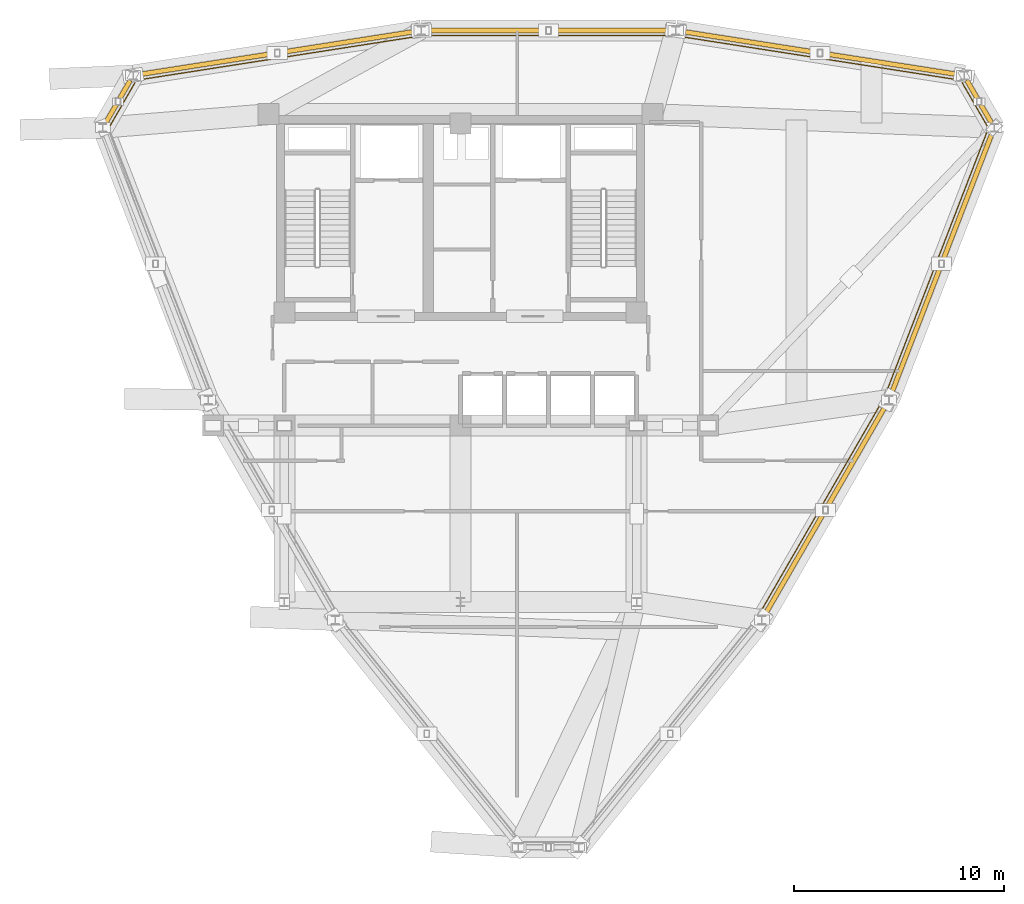
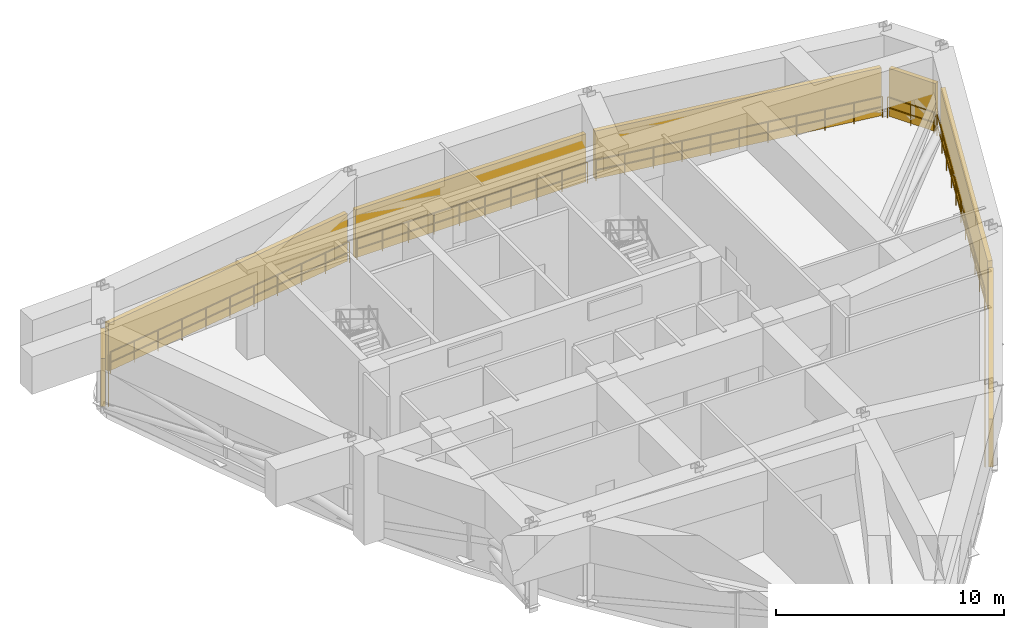
# One storey, part 11 of 11: 7 railings, 7 shading devices.
"""IFC4 building model written with IfcOpenShell, lengths in metres."""

from ifc_helpers import new_model, si_unit, derived_unit, direction, frame, origin, origin_2d, place, context, subcontext, project, spatial, polyline, circle, outline, extrude, material, layer, layer_set, type_object, element, save


model = new_model("IFC4")

# Units and contexts
model_context = context("Model", 3, precision=1e-05, world=origin(), true_north=direction((0.0, 1.0)))
body_context = subcontext(model_context, "Body", "Model", "MODEL_VIEW")
ifc_project = project(units=[si_unit("LENGTHUNIT", "METRE"), si_unit("AREAUNIT", "SQUARE_METRE"), si_unit("VOLUMEUNIT", "CUBIC_METRE"), si_unit("PLANEANGLEUNIT", "RADIAN"), si_unit("MASSUNIT", "GRAM", prefix="KILO"), derived_unit("THERMALTRANSMITTANCEUNIT", [(si_unit("POWERUNIT", "WATT"), 1), (si_unit("LENGTHUNIT", "METRE"), -2), (si_unit("THERMODYNAMICTEMPERATUREUNIT", "KELVIN"), -1)])], contexts=[model_context])

# Site, building, storey
site_placement = place(None, origin())
site = spatial("IfcSite", under=ifc_project, at=site_placement, CompositionType="ELEMENT")
building_placement = place(site_placement, origin())
building = spatial("IfcBuilding", under=site, at=building_placement, Name="Korsvarv Bourse and Concert Hall", CompositionType="ELEMENT")
storey_placement = place(building_placement, frame((0.0, 0.0, 238.199951171875)))
storey = spatial("IfcBuildingStorey", under=building, at=storey_placement, Name="L62", CompositionType="ELEMENT", Elevation=238.199951171875)

# Railings
ifc_material_1 = material(Name="Laminated safety glass and stainless Steel S355 balustrade", Category="steel")
railing_type = type_object("IfcRailingType", Name="RL-BAL-EXT", PredefinedType="BALUSTRADE", material=ifc_material_1)
railing_1_placement = place(storey_placement, frame((61.09912109375, 46.709228515625, 0.0)))
element("IfcRailing", 1, at=railing_1_placement, inside=storey, type_object=railing_type, Name="L62 Refuge Band Perimeter Safety Balustrade 1", PredefinedType="BALUSTRADE", context=body_context, shape_type="SweptSolid", body=[
    extrude(circle(Radius=0.02392578125, at=origin_2d()), frame((0.0, 0.0, 1.1259765625), z_axis=(-0.499971235986, 0.866042010059, 0.0), x_axis=(-0.866042010059, -0.499971235986, 0.0)), (0.0, 0.0, 1.0), 2.350341796875),
    extrude(circle(Radius=0.02392578125, at=origin_2d()), frame((0.0, 0.0, 0.574951171875), z_axis=(-0.499971235986, 0.866042010059, 0.0), x_axis=(-0.866042010059, -0.499971235986, 0.0)), (0.0, 0.0, 1.0), 2.350341796875),
    extrude(circle(Radius=0.02099609375, at=origin_2d()), origin(), (0.0, 0.0, 1.0), 1.101806640625),
    extrude(circle(Radius=0.02099609375, at=origin_2d()), frame((-0.58740234375, 1.017578125, 0.0)), (0.0, 0.0, 1.0), 1.101806640625),
    extrude(circle(Radius=0.02099609375, at=origin_2d()), frame((-1.175048828125, 2.035400390625, 0.0)), (0.0, 0.0, 1.0), 1.101806640625),
])
railing_2_placement = place(storey_placement, frame((59.74755859375, 48.885498046875, 0.0)))
element("IfcRailing", 2, at=railing_2_placement, inside=storey, type_object=railing_type, Name="L62 Refuge Band Perimeter Safety Balustrade 2", PredefinedType="BALUSTRADE", context=body_context, shape_type="SweptSolid", body=[
    extrude(circle(Radius=0.02392578125, at=origin_2d()), frame((0.0, 0.0, 1.1259765625), z_axis=(-0.988064015912, 0.154043826423, 0.0), x_axis=(-0.154043826423, -0.988064015912, 0.0)), (0.0, 0.0, 1.0), 13.4619140625),
    extrude(circle(Radius=0.02392578125, at=origin_2d()), frame((0.0, 0.0, 0.574951171875), z_axis=(-0.988064015912, 0.154043826423, 0.0), x_axis=(-0.154043826423, -0.988064015912, 0.0)), (0.0, 0.0, 1.0), 13.4619140625),
    extrude(circle(Radius=0.02099609375, at=origin_2d()), origin(), (0.0, 0.0, 1.0), 1.101806640625),
    extrude(circle(Radius=0.02099609375, at=origin_2d()), frame((-1.330078125, 0.207275390625, 0.0)), (0.0, 0.0, 1.0), 1.101806640625),
    extrude(circle(Radius=0.02099609375, at=origin_2d()), frame((-2.66015625, 0.414794921875, 0.0)), (0.0, 0.0, 1.0), 1.101806640625),
    extrude(circle(Radius=0.02099609375, at=origin_2d()), frame((-3.990478515625, 0.6220703125, 0.0)), (0.0, 0.0, 1.0), 1.101806640625),
    extrude(circle(Radius=0.02099609375, at=origin_2d()), frame((-5.320556640625, 0.82958984375, 0.0)), (0.0, 0.0, 1.0), 1.101806640625),
    extrude(circle(Radius=0.02099609375, at=origin_2d()), frame((-6.650634765625, 1.036865234375, 0.0)), (0.0, 0.0, 1.0), 1.101806640625),
    extrude(circle(Radius=0.02099609375, at=origin_2d()), frame((-7.980712890625, 1.244140625, 0.0)), (0.0, 0.0, 1.0), 1.101806640625),
    extrude(circle(Radius=0.02099609375, at=origin_2d()), frame((-9.310791015625, 1.45166015625, 0.0)), (0.0, 0.0, 1.0), 1.101806640625),
    extrude(circle(Radius=0.02099609375, at=origin_2d()), frame((-10.64111328125, 1.658935546875, 0.0)), (0.0, 0.0, 1.0), 1.101806640625),
    extrude(circle(Radius=0.02099609375, at=origin_2d()), frame((-11.97119140625, 1.866455078125, 0.0)), (0.0, 0.0, 1.0), 1.101806640625),
    extrude(circle(Radius=0.02099609375, at=origin_2d()), frame((-13.30126953125, 2.07373046875, 0.0)), (0.0, 0.0, 1.0), 1.101806640625),
])
railing_3_placement = place(storey_placement, frame((46.038818359375, 50.9912109375, 0.0)))
element("IfcRailing", 3, at=railing_3_placement, inside=storey, type_object=railing_type, Name="L62 Refuge Band Perimeter Safety Balustrade 3", PredefinedType="BALUSTRADE", context=body_context, shape_type="SweptSolid", body=[
    extrude(circle(Radius=0.02392578125, at=origin_2d()), frame((0.0, 0.0, 1.1259765625), z_axis=(-1.0, 0.0, 0.0), x_axis=(0.0, -1.0, 0.0)), (0.0, 0.0, 1.0), 11.677734375),
    extrude(circle(Radius=0.02392578125, at=origin_2d()), frame((0.0, 0.0, 0.574951171875), z_axis=(-1.0, 0.0, 0.0), x_axis=(0.0, -1.0, 0.0)), (0.0, 0.0, 1.0), 11.677734375),
    extrude(circle(Radius=0.02099609375, at=origin_2d()), origin(), (0.0, 0.0, 1.0), 1.101806640625),
    extrude(circle(Radius=0.02099609375, at=origin_2d()), frame((-1.297607421875, 0.0, 0.0)), (0.0, 0.0, 1.0), 1.101806640625),
    extrude(circle(Radius=0.02099609375, at=origin_2d()), frame((-2.594970703125, 0.0, 0.0)), (0.0, 0.0, 1.0), 1.101806640625),
    extrude(circle(Radius=0.02099609375, at=origin_2d()), frame((-3.892578125, 0.0, 0.0)), (0.0, 0.0, 1.0), 1.101806640625),
    extrude(circle(Radius=0.02099609375, at=origin_2d()), frame((-5.190185546875, 0.0, 0.0)), (0.0, 0.0, 1.0), 1.101806640625),
    extrude(circle(Radius=0.02099609375, at=origin_2d()), frame((-6.487548828125, 0.0, 0.0)), (0.0, 0.0, 1.0), 1.101806640625),
    extrude(circle(Radius=0.02099609375, at=origin_2d()), frame((-7.78515625, 0.0, 0.0)), (0.0, 0.0, 1.0), 1.101806640625),
    extrude(circle(Radius=0.02099609375, at=origin_2d()), frame((-9.082763671875, 0.0, 0.0)), (0.0, 0.0, 1.0), 1.101806640625),
    extrude(circle(Radius=0.02099609375, at=origin_2d()), frame((-10.380126953125, 0.0, 0.0)), (0.0, 0.0, 1.0), 1.101806640625),
    extrude(circle(Radius=0.02099609375, at=origin_2d()), frame((-11.677734375, 0.0, 0.0)), (0.0, 0.0, 1.0), 1.101806640625),
])
railing_4_placement = place(storey_placement, frame((33.95361328125, 50.959228515625, 0.0)))
element("IfcRailing", 4, at=railing_4_placement, inside=storey, type_object=railing_type, Name="L62 Refuge Band Perimeter Safety Balustrade 4", PredefinedType="BALUSTRADE", context=body_context, shape_type="SweptSolid", body=[
    extrude(circle(Radius=0.02392578125, at=origin_2d()), frame((0.0, 0.0, 1.1259765625), z_axis=(-0.988063585552, -0.154046586804, 0.0), x_axis=(0.154046586804, -0.988063585552, 0.0)), (0.0, 0.0, 1.0), 13.461669921875),
    extrude(circle(Radius=0.02392578125, at=origin_2d()), frame((0.0, 0.0, 0.574951171875), z_axis=(-0.988063585552, -0.154046586804, 0.0), x_axis=(0.154046586804, -0.988063585552, 0.0)), (0.0, 0.0, 1.0), 13.461669921875),
    extrude(circle(Radius=0.02099609375, at=origin_2d()), origin(), (0.0, 0.0, 1.0), 1.101806640625),
    extrude(circle(Radius=0.02099609375, at=origin_2d()), frame((-1.330078125, -0.207275390625, 0.0)), (0.0, 0.0, 1.0), 1.101806640625),
    extrude(circle(Radius=0.02099609375, at=origin_2d()), frame((-2.66015625, -0.414794921875, 0.0)), (0.0, 0.0, 1.0), 1.101806640625),
    extrude(circle(Radius=0.02099609375, at=origin_2d()), frame((-3.990234375, -0.6220703125, 0.0)), (0.0, 0.0, 1.0), 1.101806640625),
    extrude(circle(Radius=0.02099609375, at=origin_2d()), frame((-5.3203125, -0.82958984375, 0.0)), (0.0, 0.0, 1.0), 1.101806640625),
    extrude(circle(Radius=0.02099609375, at=origin_2d()), frame((-6.650390625, -1.036865234375, 0.0)), (0.0, 0.0, 1.0), 1.101806640625),
    extrude(circle(Radius=0.02099609375, at=origin_2d()), frame((-7.980712890625, -1.244140625, 0.0)), (0.0, 0.0, 1.0), 1.101806640625),
    extrude(circle(Radius=0.02099609375, at=origin_2d()), frame((-9.310791015625, -1.45166015625, 0.0)), (0.0, 0.0, 1.0), 1.101806640625),
    extrude(circle(Radius=0.02099609375, at=origin_2d()), frame((-10.640869140625, -1.658935546875, 0.0)), (0.0, 0.0, 1.0), 1.101806640625),
    extrude(circle(Radius=0.02099609375, at=origin_2d()), frame((-11.970947265625, -1.866455078125, 0.0)), (0.0, 0.0, 1.0), 1.101806640625),
    extrude(circle(Radius=0.02099609375, at=origin_2d()), frame((-13.301025390625, -2.07373046875, 0.0)), (0.0, 0.0, 1.0), 1.101806640625),
])
railing_5_placement = place(storey_placement, frame((20.475830078125, 48.74462890625, 0.0)))
element("IfcRailing", 5, at=railing_5_placement, inside=storey, type_object=railing_type, Name="L62 Refuge Band Perimeter Safety Balustrade 5", PredefinedType="BALUSTRADE", context=body_context, shape_type="SweptSolid", body=[
    extrude(circle(Radius=0.02392578125, at=origin_2d()), frame((0.0, 0.0, 1.1259765625), z_axis=(-0.499971235986, -0.866042010059, 0.0), x_axis=(0.866042010059, -0.499971235986, 0.0)), (0.0, 0.0, 1.0), 2.350341796875),
    extrude(circle(Radius=0.02392578125, at=origin_2d()), frame((0.0, 0.0, 0.574951171875), z_axis=(-0.499971235986, -0.866042010059, 0.0), x_axis=(0.866042010059, -0.499971235986, 0.0)), (0.0, 0.0, 1.0), 2.350341796875),
    extrude(circle(Radius=0.02099609375, at=origin_2d()), origin(), (0.0, 0.0, 1.0), 1.101806640625),
    extrude(circle(Radius=0.02099609375, at=origin_2d()), frame((-0.58740234375, -1.017578125, 0.0)), (0.0, 0.0, 1.0), 1.101806640625),
    extrude(circle(Radius=0.02099609375, at=origin_2d()), frame((-1.175048828125, -2.035400390625, 0.0)), (0.0, 0.0, 1.0), 1.101806640625),
])
railing_6_placement = place(storey_placement, frame((50.283447265625, 23.48291015625, 0.0)))
element("IfcRailing", 6, at=railing_6_placement, inside=storey, type_object=railing_type, Name="L62 Refuge Band Perimeter Safety Balustrade 11", PredefinedType="BALUSTRADE", context=body_context, shape_type="SweptSolid", body=[
    extrude(circle(Radius=0.02392578125, at=origin_2d()), frame((0.0, 0.0, 1.1259765625), z_axis=(0.500008557283, 0.866020463178, 0.0), x_axis=(-0.866020463178, 0.500008557283, 0.0)), (0.0, 0.0, 1.0), 11.596923828125),
    extrude(circle(Radius=0.02392578125, at=origin_2d()), frame((0.0, 0.0, 0.574951171875), z_axis=(0.500008557283, 0.866020463178, 0.0), x_axis=(-0.866020463178, 0.500008557283, 0.0)), (0.0, 0.0, 1.0), 11.596923828125),
    extrude(circle(Radius=0.02099609375, at=origin_2d()), origin(), (0.0, 0.0, 1.0), 1.101806640625),
    extrude(circle(Radius=0.02099609375, at=origin_2d()), frame((0.644287109375, 1.115966796875, 0.0)), (0.0, 0.0, 1.0), 1.101806640625),
    extrude(circle(Radius=0.02099609375, at=origin_2d()), frame((1.28857421875, 2.23193359375, 0.0)), (0.0, 0.0, 1.0), 1.101806640625),
    extrude(circle(Radius=0.02099609375, at=origin_2d()), frame((1.932861328125, 3.34765625, 0.0)), (0.0, 0.0, 1.0), 1.101806640625),
    extrude(circle(Radius=0.02099609375, at=origin_2d()), frame((2.5771484375, 4.463623046875, 0.0)), (0.0, 0.0, 1.0), 1.101806640625),
    extrude(circle(Radius=0.02099609375, at=origin_2d()), frame((3.221435546875, 5.57958984375, 0.0)), (0.0, 0.0, 1.0), 1.101806640625),
    extrude(circle(Radius=0.02099609375, at=origin_2d()), frame((3.86572265625, 6.695556640625, 0.0)), (0.0, 0.0, 1.0), 1.101806640625),
    extrude(circle(Radius=0.02099609375, at=origin_2d()), frame((4.510009765625, 7.811279296875, 0.0)), (0.0, 0.0, 1.0), 1.101806640625),
    extrude(circle(Radius=0.02099609375, at=origin_2d()), frame((5.154296875, 8.92724609375, 0.0)), (0.0, 0.0, 1.0), 1.101806640625),
    extrude(circle(Radius=0.02099609375, at=origin_2d()), frame((5.798583984375, 10.043212890625, 0.0)), (0.0, 0.0, 1.0), 1.101806640625),
])
railing_7_placement = place(storey_placement, frame((56.284912109375, 33.947265625, 0.0)))
element("IfcRailing", 7, at=railing_7_placement, inside=storey, type_object=railing_type, Name="L62 Refuge Band Perimeter Safety Balustrade 12", PredefinedType="BALUSTRADE", context=body_context, shape_type="SweptSolid", body=[
    extrude(circle(Radius=0.02392578125, at=origin_2d()), frame((0.0, 0.0, 1.1259765625), z_axis=(0.360613972961, 0.932715156147, 0.0), x_axis=(-0.932715156147, 0.360613972961, 0.0)), (0.0, 0.0, 1.0), 13.424560546875),
    extrude(circle(Radius=0.02392578125, at=origin_2d()), frame((0.0, 0.0, 0.574951171875), z_axis=(0.360613972961, 0.932715156147, 0.0), x_axis=(-0.932715156147, 0.360613972961, 0.0)), (0.0, 0.0, 1.0), 13.424560546875),
    extrude(circle(Radius=0.02099609375, at=origin_2d()), origin(), (0.0, 0.0, 1.0), 1.101806640625),
    extrude(circle(Radius=0.02099609375, at=origin_2d()), frame((0.484130859375, 1.252197265625, 0.0)), (0.0, 0.0, 1.0), 1.101806640625),
    extrude(circle(Radius=0.02099609375, at=origin_2d()), frame((0.96826171875, 2.504150390625, 0.0)), (0.0, 0.0, 1.0), 1.101806640625),
    extrude(circle(Radius=0.02099609375, at=origin_2d()), frame((1.452392578125, 3.75634765625, 0.0)), (0.0, 0.0, 1.0), 1.101806640625),
    extrude(circle(Radius=0.02099609375, at=origin_2d()), frame((1.9365234375, 5.008544921875, 0.0)), (0.0, 0.0, 1.0), 1.101806640625),
    extrude(circle(Radius=0.02099609375, at=origin_2d()), frame((2.42041015625, 6.2607421875, 0.0)), (0.0, 0.0, 1.0), 1.101806640625),
    extrude(circle(Radius=0.02099609375, at=origin_2d()), frame((2.904541015625, 7.5126953125, 0.0)), (0.0, 0.0, 1.0), 1.101806640625),
    extrude(circle(Radius=0.02099609375, at=origin_2d()), frame((3.388671875, 8.764892578125, 0.0)), (0.0, 0.0, 1.0), 1.101806640625),
    extrude(circle(Radius=0.02099609375, at=origin_2d()), frame((3.872802734375, 10.01708984375, 0.0)), (0.0, 0.0, 1.0), 1.101806640625),
    extrude(circle(Radius=0.02099609375, at=origin_2d()), frame((4.35693359375, 11.26904296875, 0.0)), (0.0, 0.0, 1.0), 1.101806640625),
    extrude(circle(Radius=0.02099609375, at=origin_2d()), frame((4.841064453125, 12.521240234375, 0.0)), (0.0, 0.0, 1.0), 1.101806640625),
])

# Shading devices
ifc_material_2 = material(Name="Marine-grade powder-coated aluminium acoustic storm louvre", Category="aluminium")
ifc_layer = layer(ifc_material_2, 0.219970703125)
ifc_layer_set = layer_set([ifc_layer], Name="Marine-grade powder-coated aluminium acoustic storm louvre")
shading_device_type = type_object("IfcShadingDeviceType", Name="SHD-LVR-1", PredefinedType="JALOUSIE", material=ifc_layer_set)
shading_device_1_placement = place(storey_placement, origin())
element("IfcShadingDevice", 8, at=shading_device_1_placement, inside=storey, type_object=shading_device_type, Name="L62 Refuge Acoustic Storm Louvre Bay 1", PredefinedType="JALOUSIE", context=body_context, shape_type="SweptSolid", body=[
    extrude(outline(polyline([(61.220458984375, 46.779296875), (60.04541015625, 48.814697265625), (60.23583984375, 48.924560546875), (61.410888671875, 46.889404296875), (61.220458984375, 46.779296875)])), origin(), (0.0, 0.0, 1.0), 2.570068359375),
])
shading_device_2_placement = place(storey_placement, origin())
element("IfcShadingDevice", 9, at=shading_device_2_placement, inside=storey, type_object=shading_device_type, Name="L62 Refuge Acoustic Storm Louvre Bay 2", PredefinedType="JALOUSIE", context=body_context, shape_type="SweptSolid", body=[
    extrude(outline(polyline([(59.76904296875, 49.023681640625), (46.468017578125, 51.09765625), (46.501708984375, 51.31494140625), (59.802978515625, 49.2412109375), (59.76904296875, 49.023681640625)])), origin(), (0.0, 0.0, 1.0), 2.570068359375),
])
shading_device_3_placement = place(storey_placement, origin())
element("IfcShadingDevice", 10, at=shading_device_3_placement, inside=storey, type_object=shading_device_type, Name="L62 Refuge Acoustic Storm Louvre Bay 3", PredefinedType="JALOUSIE", context=body_context, shape_type="SweptSolid", body=[
    extrude(outline(polyline([(46.038818359375, 51.131103515625), (34.361083984375, 51.131103515625), (34.361083984375, 51.35107421875), (46.038818359375, 51.35107421875), (46.038818359375, 51.131103515625)])), origin(), (0.0, 0.0, 1.0), 2.570068359375),
])
shading_device_4_placement = place(storey_placement, origin())
element("IfcShadingDevice", 11, at=shading_device_4_placement, inside=storey, type_object=shading_device_type, Name="L62 Refuge Acoustic Storm Louvre Bay 4", PredefinedType="JALOUSIE", context=body_context, shape_type="SweptSolid", body=[
    extrude(outline(polyline([(33.93212890625, 51.09765625), (20.630859375, 49.023681640625), (20.59716796875, 49.2412109375), (33.898193359375, 51.31494140625), (33.93212890625, 51.09765625)])), origin(), (0.0, 0.0, 1.0), 2.570068359375),
])
shading_device_5_placement = place(storey_placement, origin())
element("IfcShadingDevice", 12, at=shading_device_5_placement, inside=storey, type_object=shading_device_type, Name="L62 Refuge Acoustic Storm Louvre Bay 5", PredefinedType="JALOUSIE", context=body_context, shape_type="SweptSolid", body=[
    extrude(outline(polyline([(20.354736328125, 48.814697265625), (19.1796875, 46.779296875), (18.989013671875, 46.889404296875), (20.1640625, 48.924560546875), (20.354736328125, 48.814697265625)])), origin(), (0.0, 0.0, 1.0), 2.570068359375),
])
shading_device_6_placement = place(storey_placement, origin())
element("IfcShadingDevice", 13, at=shading_device_6_placement, inside=storey, type_object=shading_device_type, Name="L62 Refuge Acoustic Storm Louvre Bay 11", PredefinedType="JALOUSIE", context=body_context, shape_type="SweptSolid", body=[
    extrude(outline(polyline([(50.404541015625, 23.412841796875), (56.203125, 33.4560546875), (56.393798828125, 33.34619140625), (50.59521484375, 23.302734375), (50.404541015625, 23.412841796875)])), origin(), (0.0, 0.0, 1.0), 2.570068359375),
])
shading_device_7_placement = place(storey_placement, origin())
element("IfcShadingDevice", 14, at=shading_device_7_placement, inside=storey, type_object=shading_device_type, Name="L62 Refuge Acoustic Storm Louvre Bay 12", PredefinedType="JALOUSIE", context=body_context, shape_type="SweptSolid", body=[
    extrude(outline(polyline([(56.41552734375, 33.896728515625), (61.256591796875, 46.41796875), (61.4619140625, 46.338623046875), (56.620849609375, 33.8173828125), (56.41552734375, 33.896728515625)])), origin(), (0.0, 0.0, 1.0), 2.570068359375),
])

save(model, "model.ifc")
